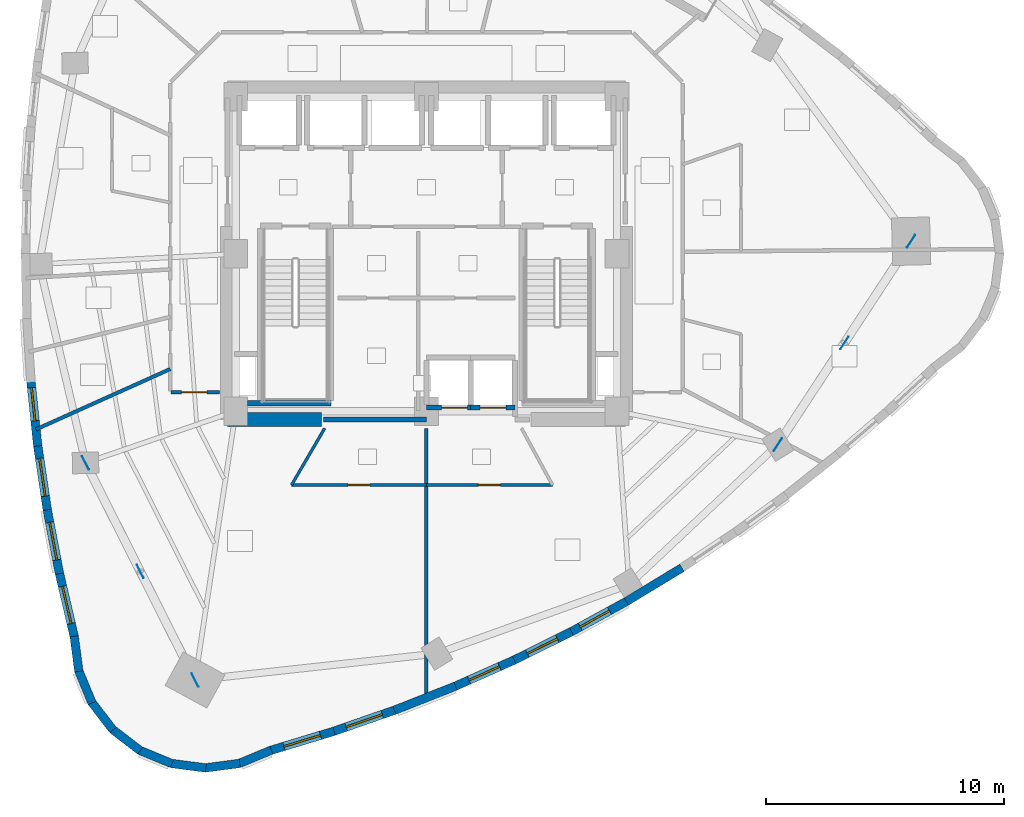
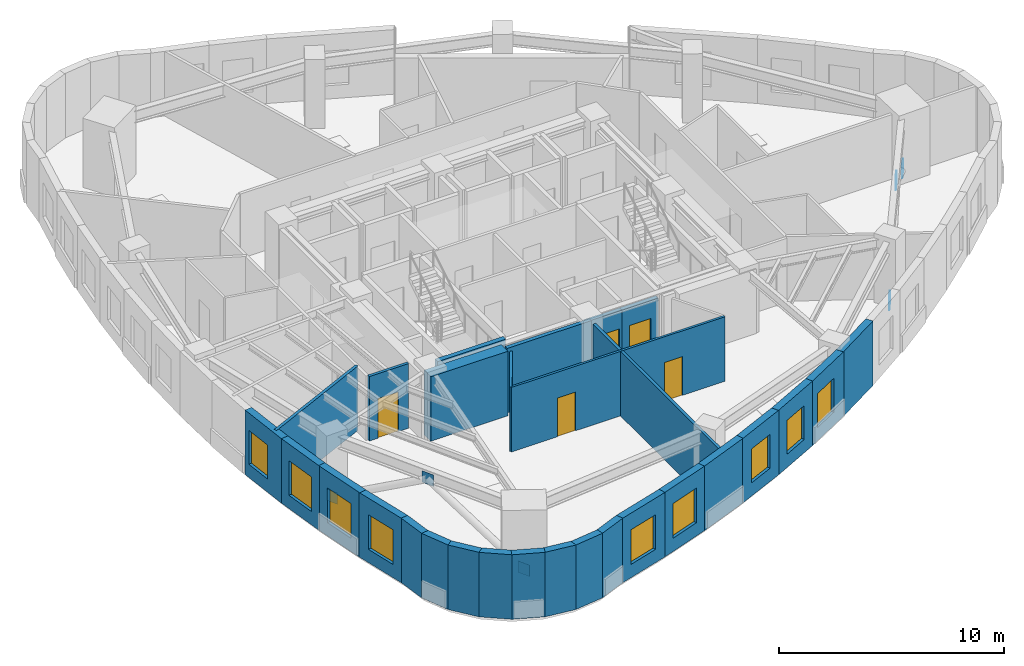
# One storey, part 7 of 14: 30 walls, 9 windows, 6 plates, 5 doors, 14 openings.
"""IFC4 building model written with IfcOpenShell, lengths in metres."""

from ifc_helpers import new_model, si_unit, direction, frame, frame_2d, origin, origin_2d, place, context, subcontext, project, spatial, rectangle, extrude, material, layer, layer_set, type_object, element, fill, save


model = new_model("IFC4")

# Units and contexts
model_context = context("Model", 3, precision=1e-05, world=origin(), true_north=direction((0.0, 1.0)))
body_context = subcontext(model_context, "Body", "Model", "MODEL_VIEW")
ifc_project = project(units=[si_unit("LENGTHUNIT", "METRE"), si_unit("AREAUNIT", "SQUARE_METRE"), si_unit("VOLUMEUNIT", "CUBIC_METRE"), si_unit("PLANEANGLEUNIT", "RADIAN"), si_unit("MASSUNIT", "GRAM", prefix="KILO")], contexts=[model_context])

# Site, building, storey
site_placement = place(None, origin())
site = spatial("IfcSite", under=ifc_project, at=site_placement, CompositionType="ELEMENT")
building_placement = place(site_placement, origin())
building = spatial("IfcBuilding", under=site, at=building_placement, Name="Ndelora Gate Hotel", CompositionType="ELEMENT")
storey_placement = place(building_placement, frame((0.0, 0.0, 127.25)))
storey = spatial("IfcBuildingStorey", under=building, at=storey_placement, Name="L31", CompositionType="ELEMENT", Elevation=127.25)

# Plates
ifc_material_1 = material(Name="Steel S355", Category="steel")
ifc_layer_1 = layer(ifc_material_1, 0.02001953125)
ifc_layer_set_1 = layer_set([ifc_layer_1], Name="Steel S355")
plate_type = type_object("IfcPlateType", Name="PL-NODE-VN1", PredefinedType="USERDEFINED", material=ifc_layer_set_1)
for number, where, z_axis, x_axis, name in (
    (1, (-14.307373046875, -8.767578125, -0.2900390625), (0.0, 0.0, 1.0), (-0.450254288408, 0.892900372813, 0.0), "Node gusset cap plate VN1"),
    (2, (-9.71044921875, -17.884521484375, -0.2900390625), (0.0, 0.0, 1.0), (-0.450254288408, 0.892900372813, 0.0), "Node gusset cap plate VN1"),
    (3, (-12.0087890625, -13.325927734375, 2.639892578125), (0.0, 0.0, 1.0), (-0.450254288408, 0.892900372813, 0.0), "Node gusset cap plate VN1"),
    (4, (14.74658203125, -8.006591796875, -0.2900390625), (0.0, 0.0, 1.0), (0.548147261701, 0.836381838331, 0.0), "Node gusset cap plate VN1"),
    (5, (20.34375, 0.53271484375, -0.2900390625), (0.0, 0.0, 1.0), (0.548147261701, 0.836381838331, 0.0), "Node gusset cap plate VN1"),
    (6, (17.545166015625, -3.737060546875, 2.639892578125), (0.0, 0.0, 1.0), (0.548147261701, 0.836381838331, 0.0), "Node gusset cap plate VN1"),
):
    element("IfcPlate", number, at=place(storey_placement, frame(where, z_axis=z_axis, x_axis=x_axis)), inside=storey, type_object=plate_type, Name=name, ObjectType="GUSSET_PLATE", PredefinedType="USERDEFINED", context=body_context, shape_type="SweptSolid", body=[
        extrude(rectangle(XDim=0.6201171875, YDim=0.02001953125, at=origin_2d()), origin(), (0.0, 0.0, 1.0), 0.6201171875),
    ])

# Wall, opening, window
ifc_material_2 = material(Name="Clay Brick Masonry", Category="masonry")
ifc_layer_2 = layer(ifc_material_2, 0.360107421875)
ifc_layer_set_2 = layer_set([ifc_layer_2], Name="Clay Brick Masonry")
wall_type_1 = type_object("IfcWallType", Name="WL-BRICK-360", PredefinedType="SOLIDWALL", material=ifc_layer_set_2)
wall_1_placement = place(storey_placement, frame((-16.315185546875, -8.061767578125, 0.0), z_axis=(0.0, 0.0, 1.0), x_axis=(-0.105606362296, 0.994408012962, 0.0)))
wall_1 = element("IfcWall", 7, at=wall_1_placement, inside=storey, type_object=wall_type_1, Name="L31 Tower Brick Pier-and-Spandrel Wall TWR-17", PredefinedType="SOLIDWALL", context=body_context, shape_type="SweptSolid", body=[
    extrude(rectangle(XDim=2.744140625, YDim=0.360107421875, at=frame_2d((1.3720703125, 0.0))), origin(), (0.0, 0.0, 1.0), 3.5),
])
opening_1_placement = place(wall_1_placement, frame((1.06005859375, 0.0, 0.719970703125)))
opening_1 = element("IfcOpeningElement", 8, at=opening_1_placement, cuts=wall_1, Name="Opening W02", PredefinedType="OPENING", context=body_context, shape_type="SweptSolid", body=[
    extrude(rectangle(XDim=1.39990234375, YDim=1.840087890625, at=frame_2d((0.699951171875, 0.919921875))), frame((0.0, 0.18994140625, 0.0), z_axis=(0.0, -1.0, 0.0), x_axis=(1.0, 0.0, 0.0)), (0.0, 0.0, 1.0), 0.380126953125),
])
ifc_material_3 = material(Name="Insulated Low-E Double Glazing in Bronze Aluminium Frame", Category="aluminium")
window_type_1 = type_object("IfcWindowType", Name="WN-DEEP-1400", PartitioningType="SINGLE_PANEL", PredefinedType="WINDOW", material=ifc_material_3)
window_1_placement = place(opening_1_placement, origin())
window_1 = element("IfcWindow", 9, at=window_1_placement, inside=storey, type_object=window_type_1, Name="L31 Deep-Set Brick-Pier Window W02", OverallHeight=1.840087890625, OverallWidth=1.39990234375, PartitioningType="SINGLE_PANEL", PredefinedType="WINDOW", context=body_context, shape_type="SweptSolid", body=[
    extrude(rectangle(XDim=1.39990234375, YDim=1.840087890625, at=frame_2d((0.699951171875, 0.919921875))), frame((0.0, 0.030029296875, 0.0), z_axis=(0.0, -1.0, 0.0), x_axis=(1.0, 0.0, 0.0)), (0.0, 0.0, 1.0), 0.06005859375),
])
fill(opening_1, window_1)

wall_2_placement = place(storey_placement, frame((-15.915283203125, -10.740478515625, 0.0), z_axis=(0.0, 0.0, 1.0), x_axis=(-0.147193392227, 0.98910773189, 0.0)))
wall_2 = element("IfcWall", 10, at=wall_2_placement, inside=storey, type_object=wall_type_1, Name="L31 Tower Brick Pier-and-Spandrel Wall TWR-18", PredefinedType="SOLIDWALL", context=body_context, shape_type="SweptSolid", body=[
    extrude(rectangle(XDim=2.75830078125, YDim=0.360107421875, at=frame_2d((1.379150390625, 0.0))), origin(), (0.0, 0.0, 1.0), 3.5),
])
opening_2_placement = place(wall_2_placement, frame((0.5791015625, 0.0, 0.719970703125)))
opening_2 = element("IfcOpeningElement", 11, at=opening_2_placement, cuts=wall_2, Name="Opening W01", PredefinedType="OPENING", context=body_context, shape_type="SweptSolid", body=[
    extrude(rectangle(XDim=1.60009765625, YDim=1.8798828125, at=frame_2d((0.800048828125, 0.93994140625))), frame((0.0, 0.18994140625, 0.0), z_axis=(0.0, -1.0, 0.0), x_axis=(1.0, 0.0, 0.0)), (0.0, 0.0, 1.0), 0.380126953125),
])
window_type_2 = type_object("IfcWindowType", Name="WN-DEEP-1600", PartitioningType="SINGLE_PANEL", PredefinedType="WINDOW", material=ifc_material_3)
window_2_placement = place(opening_2_placement, origin())
window_2 = element("IfcWindow", 12, at=window_2_placement, inside=storey, type_object=window_type_2, Name="L31 Deep-Set Brick-Pier Window W01", OverallHeight=1.8798828125, OverallWidth=1.60009765625, PartitioningType="SINGLE_PANEL", PredefinedType="WINDOW", context=body_context, shape_type="SweptSolid", body=[
    extrude(rectangle(XDim=1.60009765625, YDim=1.8798828125, at=frame_2d((0.800048828125, 0.93994140625))), frame((0.0, 0.030029296875, 0.0), z_axis=(0.0, -1.0, 0.0), x_axis=(1.0, 0.0, 0.0)), (0.0, 0.0, 1.0), 0.06005859375),
])
fill(opening_2, window_2)

wall_3_placement = place(storey_placement, frame((-15.40185546875, -13.41943359375, 0.0), z_axis=(0.0, 0.0, 1.0), x_axis=(-0.187911722621, 0.982185921555, 0.0)))
wall_3 = element("IfcWall", 13, at=wall_3_placement, inside=storey, type_object=wall_type_1, Name="L31 Tower Brick Pier-and-Spandrel Wall TWR-19", PredefinedType="SOLIDWALL", context=body_context, shape_type="SweptSolid", body=[
    extrude(rectangle(XDim=2.77783203125, YDim=0.360107421875, at=frame_2d((1.388916015625, 0.0))), origin(), (0.0, 0.0, 1.0), 3.5),
])
opening_3_placement = place(wall_3_placement, frame((0.5888671875, 0.0, 0.719970703125)))
opening_3 = element("IfcOpeningElement", 14, at=opening_3_placement, cuts=wall_3, Name="Opening W01", PredefinedType="OPENING", context=body_context, shape_type="SweptSolid", body=[
    extrude(rectangle(XDim=1.60009765625, YDim=1.8798828125, at=frame_2d((0.800048828125, 0.93994140625))), frame((0.0, 0.18994140625, 0.0), z_axis=(0.0, -1.0, 0.0), x_axis=(1.0, 0.0, 0.0)), (0.0, 0.0, 1.0), 0.380126953125),
])
window_3_placement = place(opening_3_placement, origin())
window_3 = element("IfcWindow", 15, at=window_3_placement, inside=storey, type_object=window_type_2, Name="L31 Deep-Set Brick-Pier Window W01", OverallHeight=1.8798828125, OverallWidth=1.60009765625, PartitioningType="SINGLE_PANEL", PredefinedType="WINDOW", context=body_context, shape_type="SweptSolid", body=[
    extrude(rectangle(XDim=1.60009765625, YDim=1.8798828125, at=frame_2d((0.800048828125, 0.93994140625))), frame((0.0, 0.030029296875, 0.0), z_axis=(0.0, -1.0, 0.0), x_axis=(1.0, 0.0, 0.0)), (0.0, 0.0, 1.0), 0.06005859375),
])
fill(opening_3, window_3)

wall_4_placement = place(storey_placement, frame((-14.7744140625, -16.097900390625, 0.0), z_axis=(0.0, 0.0, 1.0), x_axis=(-0.22776138749, 0.973716976523, 0.0)))
wall_4 = element("IfcWall", 16, at=wall_4_placement, inside=storey, type_object=wall_type_1, Name="L31 Tower Brick Pier-and-Spandrel Wall TWR-20", PredefinedType="SOLIDWALL", context=body_context, shape_type="SweptSolid", body=[
    extrude(rectangle(XDim=2.801025390625, YDim=0.360107421875, at=frame_2d((1.400390625, 0.0))), origin(), (0.0, 0.0, 1.0), 3.5),
])
opening_4_placement = place(wall_4_placement, frame((0.6005859375, 0.0, 0.719970703125)))
opening_4 = element("IfcOpeningElement", 17, at=opening_4_placement, cuts=wall_4, Name="Opening W01", PredefinedType="OPENING", context=body_context, shape_type="SweptSolid", body=[
    extrude(rectangle(XDim=1.60009765625, YDim=1.8798828125, at=frame_2d((0.800048828125, 0.93994140625))), frame((0.0, 0.18994140625, 0.0), z_axis=(0.0, -1.0, 0.0), x_axis=(1.0, 0.0, 0.0)), (0.0, 0.0, 1.0), 0.380126953125),
])
window_4_placement = place(opening_4_placement, origin())
window_4 = element("IfcWindow", 18, at=window_4_placement, inside=storey, type_object=window_type_2, Name="L31 Deep-Set Brick-Pier Window W01", OverallHeight=1.8798828125, OverallWidth=1.60009765625, PartitioningType="SINGLE_PANEL", PredefinedType="WINDOW", context=body_context, shape_type="SweptSolid", body=[
    extrude(rectangle(XDim=1.60009765625, YDim=1.8798828125, at=frame_2d((0.800048828125, 0.93994140625))), frame((0.0, 0.030029296875, 0.0), z_axis=(0.0, -1.0, 0.0), x_axis=(1.0, 0.0, 0.0)), (0.0, 0.0, 1.0), 0.06005859375),
])
fill(opening_4, window_4)

# Walls
wall_5_placement = place(storey_placement, frame((-14.589599609375, -17.52197265625, 0.0), z_axis=(0.0, 0.0, 1.0), x_axis=(-0.130463013345, 0.991453176983, 0.0)))
element("IfcWall", 19, at=wall_5_placement, inside=storey, type_object=wall_type_1, Name="L31 Tower Brick Pier-and-Spandrel Wall TWR-21", PredefinedType="SOLIDWALL", context=body_context, shape_type="SweptSolid", body=[
    extrude(rectangle(XDim=1.48583984375, YDim=0.360107421875, at=frame_2d((0.742919921875, 0.0))), origin(), (0.0, 0.0, 1.0), 3.5),
])
wall_6_placement = place(storey_placement, frame((-14.03369140625, -18.8466796875, 0.0), z_axis=(0.0, 0.0, 1.0), x_axis=(-0.382724298331, 0.923862604215, 0.0)))
element("IfcWall", 20, at=wall_6_placement, inside=storey, type_object=wall_type_1, Name="L31 Tower Brick Pier-and-Spandrel Wall TWR-22", PredefinedType="SOLIDWALL", context=body_context, shape_type="SweptSolid", body=[
    extrude(rectangle(XDim=1.485595703125, YDim=0.360107421875, at=frame_2d((0.74267578125, 0.0))), origin(), (0.0, 0.0, 1.0), 3.5),
])
for number, where, z_axis, x_axis, name in (
    (21, (-13.154052734375, -19.982666015625, 0.0), (0.0, 0.0, 1.0), (-0.608797140611, 0.793325936538, 0.0), "L31 Tower Brick Pier-and-Spandrel Wall TWR-23"),
    (22, (-12.010498046875, -20.85205078125, 0.0), (0.0, 0.0, 1.0), (-0.793325936538, 0.608797140611, 0.0), "L31 Tower Brick Pier-and-Spandrel Wall TWR-24"),
):
    element("IfcWall", number, at=place(storey_placement, frame(where, z_axis=z_axis, x_axis=x_axis)), inside=storey, type_object=wall_type_1, Name=name, PredefinedType="SOLIDWALL", context=body_context, shape_type="SweptSolid", body=[
        extrude(rectangle(XDim=1.48583984375, YDim=0.360107421875, at=frame_2d((0.742919921875, 0.0))), origin(), (0.0, 0.0, 1.0), 3.5),
    ])
wall_7_placement = place(storey_placement, frame((-10.6806640625, -21.39599609375, 0.0), z_axis=(0.0, 0.0, 1.0), x_axis=(-0.923862604215, 0.382724298331, 0.0)))
element("IfcWall", 23, at=wall_7_placement, inside=storey, type_object=wall_type_1, Name="L31 Tower Brick Pier-and-Spandrel Wall TWR-25", PredefinedType="SOLIDWALL", context=body_context, shape_type="SweptSolid", body=[
    extrude(rectangle(XDim=1.485595703125, YDim=0.360107421875, at=frame_2d((0.74267578125, 0.0))), origin(), (0.0, 0.0, 1.0), 3.5),
])
for number, where, z_axis, x_axis, name in (
    (24, (-9.25537109375, -21.576904296875, 0.0), (0.0, 0.0, 1.0), (-0.991453176983, 0.130463013345, 0.0), "L31 Tower Brick Pier-and-Spandrel Wall TWR-26"),
    (25, (-7.831787109375, -21.383056640625, 0.0), (0.0, 0.0, 1.0), (-0.991453176983, -0.130463013345, 0.0), "L31 Tower Brick Pier-and-Spandrel Wall TWR-27"),
    (26, (-6.507080078125, -20.827392578125, 0.0), (0.0, 0.0, 1.0), (-0.923886669429, -0.382666201867, 0.0), "L31 Tower Brick Pier-and-Spandrel Wall TWR-28"),
):
    element("IfcWall", number, at=place(storey_placement, frame(where, z_axis=z_axis, x_axis=x_axis)), inside=storey, type_object=wall_type_1, Name=name, PredefinedType="SOLIDWALL", context=body_context, shape_type="SweptSolid", body=[
        extrude(rectangle(XDim=1.48583984375, YDim=0.360107421875, at=frame_2d((0.742919921875, 0.0))), origin(), (0.0, 0.0, 1.0), 3.5),
    ])

# Wall, opening, window
wall_8_placement = place(storey_placement, frame((-3.873046875, -20.03271484375, 0.0), z_axis=(0.0, 0.0, 1.0), x_axis=(-0.957142340708, -0.289617920067, 0.0)))
wall_8 = element("IfcWall", 27, at=wall_8_placement, inside=storey, type_object=wall_type_1, Name="L31 Tower Brick Pier-and-Spandrel Wall TWR-29", PredefinedType="SOLIDWALL", context=body_context, shape_type="SweptSolid", body=[
    extrude(rectangle(XDim=2.80126953125, YDim=0.360107421875, at=frame_2d((1.400634765625, 0.0))), origin(), (0.0, 0.0, 1.0), 3.5),
])
opening_5_placement = place(wall_8_placement, frame((0.6005859375, 0.0, 0.719970703125)))
opening_5 = element("IfcOpeningElement", 28, at=opening_5_placement, cuts=wall_8, Name="Opening W03", PredefinedType="OPENING", context=body_context, shape_type="SweptSolid", body=[
    extrude(rectangle(XDim=1.60009765625, YDim=1.8798828125, at=frame_2d((0.800048828125, 0.93994140625))), frame((0.0, 0.18994140625, 0.0), z_axis=(0.0, -1.0, 0.0), x_axis=(1.0, 0.0, 0.0)), (0.0, 0.0, 1.0), 0.380126953125),
])
window_type_3 = type_object("IfcWindowType", Name="WN-CORN-2100", PartitioningType="SINGLE_PANEL", PredefinedType="WINDOW", material=ifc_material_3)
window_5_placement = place(opening_5_placement, origin())
window_5 = element("IfcWindow", 29, at=window_5_placement, inside=storey, type_object=window_type_3, Name="L31 Deep-Set Brick-Pier Window W03", OverallHeight=1.8798828125, OverallWidth=1.60009765625, PartitioningType="SINGLE_PANEL", PredefinedType="WINDOW", context=body_context, shape_type="SweptSolid", body=[
    extrude(rectangle(XDim=1.60009765625, YDim=1.8798828125, at=frame_2d((0.800048828125, 0.93994140625))), frame((0.0, 0.030029296875, 0.0), z_axis=(0.0, -1.0, 0.0), x_axis=(1.0, 0.0, 0.0)), (0.0, 0.0, 1.0), 0.06005859375),
])
fill(opening_5, window_5)

wall_9_placement = place(storey_placement, frame((-1.297119140625, -19.135986328125, 0.0), z_axis=(0.0, 0.0, 1.0), x_axis=(-0.944534739095, -0.328411520266, 0.0)))
wall_9 = element("IfcWall", 30, at=wall_9_placement, inside=storey, type_object=wall_type_1, Name="L31 Tower Brick Pier-and-Spandrel Wall TWR-30", PredefinedType="SOLIDWALL", context=body_context, shape_type="SweptSolid", body=[
    extrude(rectangle(XDim=2.77734375, YDim=0.360107421875, at=frame_2d((1.388671875, 0.0))), origin(), (0.0, 0.0, 1.0), 3.5),
])
opening_6_placement = place(wall_9_placement, frame((0.5888671875, 0.0, 0.719970703125)))
opening_6 = element("IfcOpeningElement", 31, at=opening_6_placement, cuts=wall_9, Name="Opening W01", PredefinedType="OPENING", context=body_context, shape_type="SweptSolid", body=[
    extrude(rectangle(XDim=1.60009765625, YDim=1.8798828125, at=frame_2d((0.800048828125, 0.93994140625))), frame((0.0, 0.18994140625, 0.0), z_axis=(0.0, -1.0, 0.0), x_axis=(1.0, 0.0, 0.0)), (0.0, 0.0, 1.0), 0.380126953125),
])
window_6_placement = place(opening_6_placement, origin())
window_6 = element("IfcWindow", 32, at=window_6_placement, inside=storey, type_object=window_type_2, Name="L31 Deep-Set Brick-Pier Window W01", OverallHeight=1.8798828125, OverallWidth=1.60009765625, PartitioningType="SINGLE_PANEL", PredefinedType="WINDOW", context=body_context, shape_type="SweptSolid", body=[
    extrude(rectangle(XDim=1.60009765625, YDim=1.8798828125, at=frame_2d((0.800048828125, 0.93994140625))), frame((0.0, 0.030029296875, 0.0), z_axis=(0.0, -1.0, 0.0), x_axis=(1.0, 0.0, 0.0)), (0.0, 0.0, 1.0), 0.06005859375),
])
fill(opening_6, window_6)

# Wall
wall_10_placement = place(storey_placement, frame((1.221923828125, -18.140625, 0.0), z_axis=(0.0, 0.0, 1.0), x_axis=(-0.930175900813, -0.367114142395, 0.0)))
element("IfcWall", 33, at=wall_10_placement, inside=storey, type_object=wall_type_1, Name="L31 Tower Brick Pier-and-Spandrel Wall TWR-31", PredefinedType="SOLIDWALL", context=body_context, shape_type="SweptSolid", body=[
    extrude(rectangle(XDim=2.758544921875, YDim=0.360107421875, at=frame_2d((1.37939453125, 0.0))), origin(), (0.0, 0.0, 1.0), 3.5),
])

# Wall, opening, window
wall_11_placement = place(storey_placement, frame((3.68408203125, -17.046875, 0.0), z_axis=(0.0, 0.0, 1.0), x_axis=(-0.914049860102, -0.405601840783, 0.0)))
wall_11 = element("IfcWall", 34, at=wall_11_placement, inside=storey, type_object=wall_type_1, Name="L31 Tower Brick Pier-and-Spandrel Wall TWR-32", PredefinedType="SOLIDWALL", context=body_context, shape_type="SweptSolid", body=[
    extrude(rectangle(XDim=2.744140625, YDim=0.360107421875, at=frame_2d((1.3720703125, 0.0))), origin(), (0.0, 0.0, 1.0), 3.5),
])
opening_7_placement = place(wall_11_placement, frame((0.672119140625, 0.0, 0.719970703125)))
opening_7 = element("IfcOpeningElement", 35, at=opening_7_placement, cuts=wall_11, Name="Opening W02", PredefinedType="OPENING", context=body_context, shape_type="SweptSolid", body=[
    extrude(rectangle(XDim=1.39990234375, YDim=1.840087890625, at=frame_2d((0.699951171875, 0.919921875))), frame((0.0, 0.18994140625, 0.0), z_axis=(0.0, -1.0, 0.0), x_axis=(1.0, 0.0, 0.0)), (0.0, 0.0, 1.0), 0.380126953125),
])
window_7_placement = place(opening_7_placement, origin())
window_7 = element("IfcWindow", 36, at=window_7_placement, inside=storey, type_object=window_type_1, Name="L31 Deep-Set Brick-Pier Window W02", OverallHeight=1.840087890625, OverallWidth=1.39990234375, PartitioningType="SINGLE_PANEL", PredefinedType="WINDOW", context=body_context, shape_type="SweptSolid", body=[
    extrude(rectangle(XDim=1.39990234375, YDim=1.840087890625, at=frame_2d((0.699951171875, 0.919921875))), frame((0.0, 0.030029296875, 0.0), z_axis=(0.0, -1.0, 0.0), x_axis=(1.0, 0.0, 0.0)), (0.0, 0.0, 1.0), 0.06005859375),
])
fill(opening_7, window_7)

wall_12_placement = place(storey_placement, frame((6.089111328125, -15.8544921875, 0.0), z_axis=(0.0, 0.0, 1.0), x_axis=(-0.896117102505, -0.443817686216, 0.0)))
wall_12 = element("IfcWall", 37, at=wall_12_placement, inside=storey, type_object=wall_type_1, Name="L31 Tower Brick Pier-and-Spandrel Wall TWR-33", PredefinedType="SOLIDWALL", context=body_context, shape_type="SweptSolid", body=[
    extrude(rectangle(XDim=2.734619140625, YDim=0.360107421875, at=frame_2d((1.3671875, 0.0))), origin(), (0.0, 0.0, 1.0), 3.5),
])
opening_8_placement = place(wall_12_placement, frame((0.667236328125, 0.0, 0.719970703125)))
opening_8 = element("IfcOpeningElement", 38, at=opening_8_placement, cuts=wall_12, Name="Opening W02", PredefinedType="OPENING", context=body_context, shape_type="SweptSolid", body=[
    extrude(rectangle(XDim=1.39990234375, YDim=1.840087890625, at=frame_2d((0.699951171875, 0.919921875))), frame((0.0, 0.18994140625, 0.0), z_axis=(0.0, -1.0, 0.0), x_axis=(1.0, 0.0, 0.0)), (0.0, 0.0, 1.0), 0.380126953125),
])
window_8_placement = place(opening_8_placement, origin())
window_8 = element("IfcWindow", 39, at=window_8_placement, inside=storey, type_object=window_type_1, Name="L31 Deep-Set Brick-Pier Window W02", OverallHeight=1.840087890625, OverallWidth=1.39990234375, PartitioningType="SINGLE_PANEL", PredefinedType="WINDOW", context=body_context, shape_type="SweptSolid", body=[
    extrude(rectangle(XDim=1.39990234375, YDim=1.840087890625, at=frame_2d((0.699951171875, 0.919921875))), frame((0.0, 0.030029296875, 0.0), z_axis=(0.0, -1.0, 0.0), x_axis=(1.0, 0.0, 0.0)), (0.0, 0.0, 1.0), 0.06005859375),
])
fill(opening_8, window_8)

wall_13_placement = place(storey_placement, frame((8.43701171875, -14.5634765625, 0.0), z_axis=(0.0, 0.0, 1.0), x_axis=(-0.876497150166, -0.481407047882, 0.0)))
wall_13 = element("IfcWall", 40, at=wall_13_placement, inside=storey, type_object=wall_type_1, Name="L31 Tower Brick Pier-and-Spandrel Wall TWR-34", PredefinedType="SOLIDWALL", context=body_context, shape_type="SweptSolid", body=[
    extrude(rectangle(XDim=2.7294921875, YDim=0.360107421875, at=frame_2d((1.36474609375, 0.0))), origin(), (0.0, 0.0, 1.0), 3.5),
])
opening_9_placement = place(wall_13_placement, frame((0.860107421875, 0.0, 0.719970703125)))
opening_9 = element("IfcOpeningElement", 41, at=opening_9_placement, cuts=wall_13, Name="Opening W02", PredefinedType="OPENING", context=body_context, shape_type="SweptSolid", body=[
    extrude(rectangle(XDim=1.39990234375, YDim=1.840087890625, at=frame_2d((0.699951171875, 0.919921875))), frame((0.0, 0.18994140625, 0.0), z_axis=(0.0, -1.0, 0.0), x_axis=(1.0, 0.0, 0.0)), (0.0, 0.0, 1.0), 0.380126953125),
])
window_9_placement = place(opening_9_placement, origin())
window_9 = element("IfcWindow", 42, at=window_9_placement, inside=storey, type_object=window_type_1, Name="L31 Deep-Set Brick-Pier Window W02", OverallHeight=1.840087890625, OverallWidth=1.39990234375, PartitioningType="SINGLE_PANEL", PredefinedType="WINDOW", context=body_context, shape_type="SweptSolid", body=[
    extrude(rectangle(XDim=1.39990234375, YDim=1.840087890625, at=frame_2d((0.699951171875, 0.919921875))), frame((0.0, 0.030029296875, 0.0), z_axis=(0.0, -1.0, 0.0), x_axis=(1.0, 0.0, 0.0)), (0.0, 0.0, 1.0), 0.06005859375),
])
fill(opening_9, window_9)

# Walls
wall_14_placement = place(storey_placement, frame((10.72802734375, -13.173583984375, 0.0), z_axis=(0.0, 0.0, 1.0), x_axis=(-0.855179809963, -0.518331450553, 0.0)))
element("IfcWall", 43, at=wall_14_placement, inside=storey, type_object=wall_type_1, Name="L31 Tower Brick Pier-and-Spandrel Wall TWR-35", PredefinedType="SOLIDWALL", context=body_context, shape_type="SweptSolid", body=[
    extrude(rectangle(XDim=2.7294921875, YDim=0.360107421875, at=frame_2d((1.36474609375, 0.0))), origin(), (0.0, 0.0, 1.0), 3.5),
])
ifc_material_4 = material(Name="Concrete C60/75", Category="concrete")
ifc_layer_3 = layer(ifc_material_4, 0.60009765625)
ifc_layer_set_3 = layer_set([ifc_layer_3], Name="Concrete C60/75")
wall_type_2 = type_object("IfcWallType", Name="WL-CORE-600", PredefinedType="SHEAR", material=ifc_layer_set_3)
wall_15_placement = place(storey_placement, frame((-8.35009765625, -6.949951171875, 0.0), z_axis=(0.0, 0.0, 1.0), x_axis=(1.0, 0.0, 0.0)))
element("IfcWall", 44, at=wall_15_placement, inside=storey, type_object=wall_type_2, Name="L31 Core Shear Wall S-W", PredefinedType="SHEAR", context=body_context, shape_type="SweptSolid", body=[
    extrude(rectangle(XDim=3.9501953125, YDim=0.60009765625, at=frame_2d((1.97509765625, 0.0))), origin(), (0.0, 0.0, 1.0), 3.5),
])
ifc_material_5 = material(Name="Concrete C40/50", Category="concrete")
ifc_layer_4 = layer(ifc_material_5, 0.199951171875)
ifc_layer_set_4 = layer_set([ifc_layer_4], Name="Concrete C40/50")
wall_type_3 = type_object("IfcWallType", Name="WL-FIRE-200", PredefinedType="PARTITIONING", material=ifc_layer_set_4)
wall_16_placement = place(storey_placement, frame((-4.320068359375, -6.949951171875, 0.0), z_axis=(0.0, 0.0, 1.0), x_axis=(1.0, 0.0, 0.0)))
element("IfcWall", 45, at=wall_16_placement, inside=storey, type_object=wall_type_3, Name="L31 Interior Wall IW-2", PredefinedType="PARTITIONING", context=body_context, shape_type="SweptSolid", body=[
    extrude(rectangle(XDim=4.320068359375, YDim=0.199951171875, at=frame_2d((2.16015625, 0.0))), origin(), (0.0, 0.0, 1.0), 3.5),
])

# Wall, opening, door
ifc_material_6 = material(Name="Fire-Rated Gypsum Stud Partition", Category="gypsum")
ifc_layer_5 = layer(ifc_material_6, 0.14990234375)
ifc_layer_set_5 = layer_set([ifc_layer_5], Name="Fire-Rated Gypsum Stud Partition")
wall_type_4 = type_object("IfcWallType", Name="WL-PART-150", PredefinedType="PARTITIONING", material=ifc_layer_set_5)
wall_17_placement = place(storey_placement, frame((-8.68994140625, -5.800048828125, 0.0), z_axis=(0.0, 0.0, 1.0), x_axis=(-1.0, 0.0, 0.0)))
wall_17 = element("IfcWall", 46, at=wall_17_placement, inside=storey, type_object=wall_type_4, Name="L31 Interior Wall IW-5", PredefinedType="PARTITIONING", context=body_context, shape_type="SweptSolid", body=[
    extrude(rectangle(XDim=2.02001953125, YDim=0.14990234375, at=frame_2d((1.010009765625, 0.0))), origin(), (0.0, 0.0, 1.0), 3.5),
])
opening_10_placement = place(wall_17_placement, frame((0.52001953125, 0.0, 0.0)))
opening_10 = element("IfcOpeningElement", 47, at=opening_10_placement, cuts=wall_17, Name="Opening D07", PredefinedType="OPENING", context=body_context, shape_type="SweptSolid", body=[
    extrude(rectangle(XDim=1.06005859375, YDim=2.14990234375, at=frame_2d((0.530029296875, 1.074951171875))), frame((0.0, 0.0849609375, 0.0), z_axis=(0.0, -1.0, 0.0), x_axis=(1.0, 0.0, 0.0)), (0.0, 0.0, 1.0), 0.169921875),
])
ifc_material_7 = material(Name="Diplomatic Suite Acoustic Entrance Door", Category="wood")
door_type_1 = type_object("IfcDoorType", Name="DR-SUITE-1060", OperationType="SINGLE_SWING_LEFT", PredefinedType="DOOR", material=ifc_material_7)
door_1_placement = place(opening_10_placement, origin())
door_1 = element("IfcDoor", 48, at=door_1_placement, inside=storey, type_object=door_type_1, Name="L31 Corner Diplomatic Suite 3401 Entrance Door", OperationType="SINGLE_SWING_RIGHT", OverallHeight=2.14990234375, OverallWidth=1.06005859375, PredefinedType="DOOR", context=body_context, shape_type="SweptSolid", body=[
    extrude(rectangle(XDim=1.06005859375, YDim=2.14990234375, at=frame_2d((0.530029296875, 1.074951171875))), frame((0.0, 0.02490234375, 0.0), z_axis=(0.0, -1.0, 0.0), x_axis=(1.0, 0.0, 0.0)), (0.0, 0.0, 1.0), 0.050048828125),
])
fill(opening_10, door_1)

# Walls
wall_18_placement = place(storey_placement, frame((-10.75, -4.831298828125, 0.0), z_axis=(0.0, 0.0, 1.0), x_axis=(-0.91212311918, -0.409916351781, 0.0)))
element("IfcWall", 49, at=wall_18_placement, inside=storey, type_object=wall_type_4, Name="L31 Interior Wall IW-5", PredefinedType="PARTITIONING", context=body_context, shape_type="SweptSolid", body=[
    extrude(rectangle(XDim=6.18212890625, YDim=0.14990234375, at=frame_2d((3.091064453125, 0.0))), origin(), (0.0, 0.0, 1.0), 3.5),
])
wall_19_placement = place(storey_placement, frame((0.0, -7.320068359375, 0.0), z_axis=(0.0, 0.0, 1.0), x_axis=(0.0, -1.0, 0.0)))
element("IfcWall", 50, at=wall_19_placement, inside=storey, type_object=wall_type_4, Name="L31 Interior Wall IW-5", PredefinedType="PARTITIONING", context=body_context, shape_type="SweptSolid", body=[
    extrude(rectangle(XDim=11.302978515625, YDim=0.14990234375, at=frame_2d((5.6513671875, 0.0))), origin(), (0.0, 0.0, 1.0), 3.5),
])

# Wall, opening, door
ifc_layer_6 = layer(ifc_material_5, 0.219970703125)
ifc_layer_set_6 = layer_set([ifc_layer_6], Name="Concrete C40/50")
wall_type_5 = type_object("IfcWallType", Name="WL-SHAFT-220", PredefinedType="PARTITIONING", material=ifc_layer_set_6)
wall_20_placement = place(storey_placement, frame((0.0, -6.449951171875, 0.0), z_axis=(0.0, 0.0, 1.0), x_axis=(1.0, 0.0, 0.0)))
wall_20 = element("IfcWall", 51, at=wall_20_placement, inside=storey, type_object=wall_type_5, Name="L31 Interior Wall IW-1", PredefinedType="PARTITIONING", context=body_context, shape_type="SweptSolid", body=[
    extrude(rectangle(XDim=1.860107421875, YDim=0.219970703125, at=frame_2d((0.93017578125, 0.0))), origin(), (0.0, 0.0, 1.0), 3.1201171875),
])
opening_11_placement = place(wall_20_placement, frame((0.639892578125, 0.0, 0.0)))
opening_11 = element("IfcOpeningElement", 52, at=opening_11_placement, cuts=wall_20, Name="Opening LD2", PredefinedType="OPENING", context=body_context, shape_type="SweptSolid", body=[
    extrude(rectangle(XDim=1.080078125, YDim=2.14990234375, at=frame_2d((0.5400390625, 1.074951171875))), frame((0.0, 0.1201171875, 0.0), z_axis=(0.0, -1.0, 0.0), x_axis=(1.0, 0.0, 0.0)), (0.0, 0.0, 1.0), 0.239990234375),
])
ifc_material_8 = material(Name="Brushed Bronze Stainless Lift Landing Door", Category="metal")
door_type_2 = type_object("IfcDoorType", Name="DR-LD2", OperationType="DOUBLE_DOOR_SLIDING", PredefinedType="DOOR", material=ifc_material_8)
door_2_placement = place(opening_11_placement, origin())
door_2 = element("IfcDoor", 53, at=door_2_placement, inside=storey, type_object=door_type_2, Name="L31 Lift Landing Sliding Door P2A", OperationType="DOUBLE_DOOR_SLIDING", OverallHeight=2.14990234375, OverallWidth=1.080078125, PredefinedType="DOOR", context=body_context, shape_type="SweptSolid", body=[
    extrude(rectangle(XDim=1.080078125, YDim=2.14990234375, at=frame_2d((0.5400390625, 1.074951171875))), frame((0.0, 0.02490234375, 0.0), z_axis=(0.0, -1.0, 0.0), x_axis=(1.0, 0.0, 0.0)), (0.0, 0.0, 1.0), 0.050048828125),
])
fill(opening_11, door_2)

wall_21_placement = place(storey_placement, frame((1.860107421875, -6.449951171875, 0.0), z_axis=(0.0, 0.0, 1.0), x_axis=(1.0, 0.0, 0.0)))
wall_21 = element("IfcWall", 54, at=wall_21_placement, inside=storey, type_object=wall_type_5, Name="L31 Interior Wall IW-1", PredefinedType="PARTITIONING", context=body_context, shape_type="SweptSolid", body=[
    extrude(rectangle(XDim=1.85986328125, YDim=0.219970703125, at=frame_2d((0.929931640625, 0.0))), origin(), (0.0, 0.0, 1.0), 3.1201171875),
])
opening_12_placement = place(wall_21_placement, frame((0.389892578125, 0.0, 0.0)))
opening_12 = element("IfcOpeningElement", 55, at=opening_12_placement, cuts=wall_21, Name="Opening LD2", PredefinedType="OPENING", context=body_context, shape_type="SweptSolid", body=[
    extrude(rectangle(XDim=1.080078125, YDim=2.14990234375, at=frame_2d((0.5400390625, 1.074951171875))), frame((0.0, 0.1201171875, 0.0), z_axis=(0.0, -1.0, 0.0), x_axis=(1.0, 0.0, 0.0)), (0.0, 0.0, 1.0), 0.239990234375),
])
door_3_placement = place(opening_12_placement, origin())
door_3 = element("IfcDoor", 56, at=door_3_placement, inside=storey, type_object=door_type_2, Name="L31 Lift Landing Sliding Door P2B", OperationType="DOUBLE_DOOR_SLIDING", OverallHeight=2.14990234375, OverallWidth=1.080078125, PredefinedType="DOOR", context=body_context, shape_type="SweptSolid", body=[
    extrude(rectangle(XDim=1.080078125, YDim=2.14990234375, at=frame_2d((0.5400390625, 1.074951171875))), frame((0.0, 0.02490234375, 0.0), z_axis=(0.0, -1.0, 0.0), x_axis=(1.0, 0.0, 0.0)), (0.0, 0.0, 1.0), 0.050048828125),
])
fill(opening_12, door_3)

# Wall
ifc_material_9 = material(Name="Concrete C50/60", Category="concrete")
ifc_layer_7 = layer(ifc_material_9, 0.239990234375)
ifc_layer_set_7 = layer_set([ifc_layer_7], Name="Concrete C50/60")
wall_type_6 = type_object("IfcWallType", Name="WL-STAIR-240", PredefinedType="SHEAR", material=ifc_layer_set_7)
wall_22_placement = place(storey_placement, frame((-7.5, -6.27001953125, 0.0), z_axis=(0.0, 0.0, 1.0), x_axis=(1.0, 0.0, 0.0)))
element("IfcWall", 57, at=wall_22_placement, inside=storey, type_object=wall_type_6, Name="L31 Stair Core Shear Wall SW-ST", PredefinedType="SHEAR", context=body_context, shape_type="SweptSolid", body=[
    extrude(rectangle(XDim=3.489990234375, YDim=0.239990234375, at=frame_2d((1.7451171875, 0.0))), origin(), (0.0, 0.0, 1.0), 3.5),
])

# Wall, opening, door
ifc_material_10 = material(Name="Moisture-Resistant Bathroom Tile Partition", Category="gypsum")
ifc_layer_8 = layer(ifc_material_10, 0.1201171875)
ifc_layer_set_8 = layer_set([ifc_layer_8], Name="Moisture-Resistant Bathroom Tile Partition")
wall_type_7 = type_object("IfcWallType", Name="WL-WET-120", PredefinedType="PARTITIONING", material=ifc_layer_set_8)
wall_23_placement = place(storey_placement, frame((0.0, -9.699951171875, 0.0), z_axis=(0.0, 0.0, 1.0), x_axis=(-1.0, 0.0, 0.0)))
wall_23 = element("IfcWall", 58, at=wall_23_placement, inside=storey, type_object=wall_type_7, Name="L31 Interior Wall IW-7", PredefinedType="PARTITIONING", context=body_context, shape_type="SweptSolid", body=[
    extrude(rectangle(XDim=5.660888671875, YDim=0.1201171875, at=frame_2d((2.83056640625, 0.0))), origin(), (0.0, 0.0, 1.0), 3.5),
])
opening_13_placement = place(wall_23_placement, frame((2.37060546875, 0.0, 0.0)))
opening_13 = element("IfcOpeningElement", 59, at=opening_13_placement, cuts=wall_23, Name="Opening D03", PredefinedType="OPENING", context=body_context, shape_type="SweptSolid", body=[
    extrude(rectangle(XDim=0.919921875, YDim=2.10009765625, at=frame_2d((0.4599609375, 1.050048828125))), frame((0.0, 0.070068359375, 0.0), z_axis=(0.0, -1.0, 0.0), x_axis=(1.0, 0.0, 0.0)), (0.0, 0.0, 1.0), 0.14013671875),
])
ifc_material_11 = material(Name="Moisture-Resistant Hardwood En-Suite Door", Category="wood")
door_type_3 = type_object("IfcDoorType", Name="DR-BATH-920", OperationType="SINGLE_SWING_LEFT", PredefinedType="DOOR", material=ifc_material_11)
door_4_placement = place(opening_13_placement, origin())
door_4 = element("IfcDoor", 60, at=door_4_placement, inside=storey, type_object=door_type_3, Name="L31 En-suite Bathroom 3401 Door", OperationType="SINGLE_SWING_RIGHT", OverallHeight=2.10009765625, OverallWidth=0.919921875, PredefinedType="DOOR", context=body_context, shape_type="SweptSolid", body=[
    extrude(rectangle(XDim=0.919921875, YDim=2.10009765625, at=frame_2d((0.4599609375, 1.050048828125))), frame((0.0, 0.02490234375, 0.0), z_axis=(0.0, -1.0, 0.0), x_axis=(1.0, 0.0, 0.0)), (0.0, 0.0, 1.0), 0.050048828125),
])
fill(opening_13, door_4)

# Wall
wall_24_placement = place(storey_placement, frame((-5.660888671875, -9.699951171875, 0.0), z_axis=(0.0, 0.0, 1.0), x_axis=(0.50404729756, 0.863676051435, 0.0)))
element("IfcWall", 61, at=wall_24_placement, inside=storey, type_object=wall_type_7, Name="L31 Interior Wall IW-7", PredefinedType="PARTITIONING", context=body_context, shape_type="SweptSolid", body=[
    extrude(rectangle(XDim=2.755615234375, YDim=0.1201171875, at=frame_2d((1.3779296875, 0.0))), origin(), (0.0, 0.0, 1.0), 3.5),
])

# Wall, opening, door
wall_25_placement = place(storey_placement, frame((5.291259765625, -9.699951171875, 0.0), z_axis=(0.0, 0.0, 1.0), x_axis=(-1.0, 0.0, 0.0)))
wall_25 = element("IfcWall", 62, at=wall_25_placement, inside=storey, type_object=wall_type_7, Name="L31 Interior Wall IW-7", PredefinedType="PARTITIONING", context=body_context, shape_type="SweptSolid", body=[
    extrude(rectangle(XDim=5.291259765625, YDim=0.1201171875, at=frame_2d((2.6455078125, 0.0))), origin(), (0.0, 0.0, 1.0), 3.5),
])
opening_14_placement = place(wall_25_placement, frame((2.185546875, 0.0, 0.0)))
opening_14 = element("IfcOpeningElement", 63, at=opening_14_placement, cuts=wall_25, Name="Opening D03", PredefinedType="OPENING", context=body_context, shape_type="SweptSolid", body=[
    extrude(rectangle(XDim=0.919921875, YDim=2.10009765625, at=frame_2d((0.4599609375, 1.050048828125))), frame((0.0, 0.070068359375, 0.0), z_axis=(0.0, -1.0, 0.0), x_axis=(1.0, 0.0, 0.0)), (0.0, 0.0, 1.0), 0.14013671875),
])
door_5_placement = place(opening_14_placement, origin())
door_5 = element("IfcDoor", 64, at=door_5_placement, inside=storey, type_object=door_type_3, Name="L31 En-suite Bathroom 3402 Door", OperationType="SINGLE_SWING_LEFT", OverallHeight=2.10009765625, OverallWidth=0.919921875, PredefinedType="DOOR", context=body_context, shape_type="SweptSolid", body=[
    extrude(rectangle(XDim=0.919921875, YDim=2.10009765625, at=frame_2d((0.4599609375, 1.050048828125))), frame((0.0, 0.02490234375, 0.0), z_axis=(0.0, -1.0, 0.0), x_axis=(1.0, 0.0, 0.0)), (0.0, 0.0, 1.0), 0.050048828125),
])
fill(opening_14, door_5)

save(model, "model.ifc")
